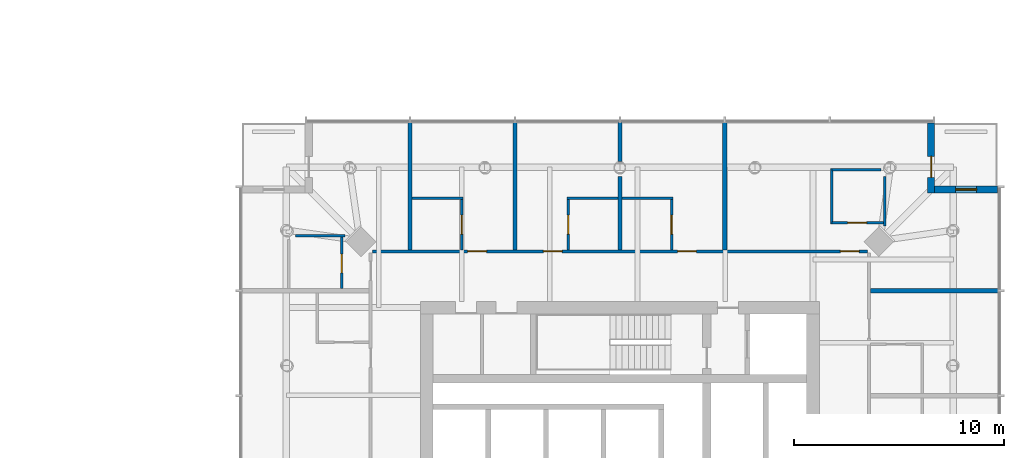
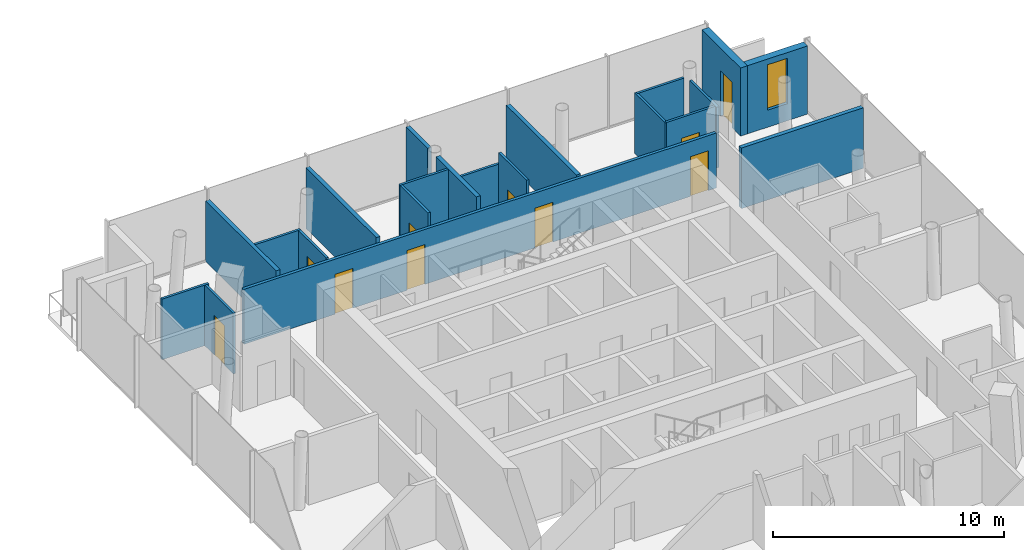
# One storey, part 15 of 18: 21 walls, 10 doors, 1 window, 11 openings.
"""IFC4 building model written with IfcOpenShell, lengths in metres."""

from ifc_helpers import new_model, si_unit, direction, frame, frame_2d, origin, place, context, subcontext, project, spatial, rectangle, extrude, material, layer, layer_set, type_object, element, fill, save


model = new_model("IFC4")

# Units and contexts
model_context = context("Model", 3, precision=1e-05, world=origin(), true_north=direction((0.0, 1.0)))
body_context = subcontext(model_context, "Body", "Model", "MODEL_VIEW")
ifc_project = project(units=[si_unit("LENGTHUNIT", "METRE"), si_unit("AREAUNIT", "SQUARE_METRE"), si_unit("VOLUMEUNIT", "CUBIC_METRE"), si_unit("PLANEANGLEUNIT", "RADIAN"), si_unit("MASSUNIT", "GRAM", prefix="KILO")], contexts=[model_context])

# Site, building, storey
site_placement = place(None, origin())
site = spatial("IfcSite", under=ifc_project, at=site_placement, CompositionType="ELEMENT")
building_placement = place(site_placement, origin())
building = spatial("IfcBuilding", under=site, at=building_placement, Name="Ostroluk Exchange", CompositionType="ELEMENT")
storey_placement = place(building_placement, frame((0.0, 0.0, 93.199951171875)))
storey = spatial("IfcBuildingStorey", under=building, at=storey_placement, Name="L23", CompositionType="ELEMENT", Elevation=93.199951171875)

# Wall, opening, door
ifc_material_1 = material(Name="Limestone", Category="masonry")
ifc_layer_1 = layer(ifc_material_1, 0.35009765625)
ifc_layer_set_1 = layer_set([ifc_layer_1], Name="Limestone facade wall 350")
wall_type_1 = type_object("IfcWallType", Name="Limestone facade wall 350", PredefinedType="SOLIDWALL", material=ifc_layer_set_1)
wall_1_placement = place(storey_placement, frame((131.824951171875, 64.0, 0.0), z_axis=(0.0, 0.0, 1.0), x_axis=(0.0, -1.0, 0.0)))
wall_1 = element("IfcWall", 1, at=wall_1_placement, inside=storey, type_object=wall_type_1, Name="Hotel tower NE corner wall L23 a", PredefinedType="SOLIDWALL", context=body_context, shape_type="SweptSolid", body=[
    extrude(rectangle(XDim=3.35009765625, YDim=0.35009765625, at=frame_2d((1.675048828125, 0.0))), origin(), (0.0, 0.0, 1.0), 3.60009765625),
])
opening_1_placement = place(wall_1_placement, frame((1.60009765625, 0.0, 0.0)))
opening_1 = element("IfcOpeningElement", 2, at=opening_1_placement, cuts=wall_1, Name="Opening D-B1", PredefinedType="OPENING", context=body_context, shape_type="SweptSolid", body=[
    extrude(rectangle(XDim=1.0, YDim=2.39990234375, at=frame_2d((0.5, 1.199951171875))), frame((0.0, 0.18505859375, 0.0), z_axis=(0.0, -1.0, 0.0), x_axis=(1.0, 0.0, 0.0)), (0.0, 0.0, 1.0), 0.3701171875),
])
ifc_material_2 = material(Name="Bronze framed glazed door", Category="aluminium")
door_type_1 = type_object("IfcDoorType", Name="Balcony door 1000 x 2400", OperationType="SINGLE_SWING_LEFT", PredefinedType="DOOR", material=ifc_material_2)
door_1_placement = place(opening_1_placement, origin())
door_1 = element("IfcDoor", 3, at=door_1_placement, inside=storey, type_object=door_type_1, Name="Hotel tower NE balcony door L23", OperationType="SINGLE_SWING_RIGHT", OverallHeight=2.39990234375, OverallWidth=1.0, PredefinedType="DOOR", context=body_context, shape_type="SweptSolid", body=[
    extrude(rectangle(XDim=1.0, YDim=2.39990234375, at=frame_2d((0.5, 1.199951171875))), frame((0.0, 0.02490234375, 0.0), z_axis=(0.0, -1.0, 0.0), x_axis=(1.0, 0.0, 0.0)), (0.0, 0.0, 1.0), 0.050048828125),
])
fill(opening_1, door_1)

# Wall, opening, window
wall_2_placement = place(storey_placement, frame((132.0, 60.824951171875, 0.0), z_axis=(0.0, 0.0, 1.0), x_axis=(1.0, 0.0, 0.0)))
wall_2 = element("IfcWall", 4, at=wall_2_placement, inside=storey, type_object=wall_type_1, Name="Hotel tower NE corner wall L23 b", PredefinedType="SOLIDWALL", context=body_context, shape_type="SweptSolid", body=[
    extrude(rectangle(XDim=3.0, YDim=0.35009765625, at=frame_2d((1.5, 0.0))), origin(), (0.0, 0.0, 1.0), 3.60009765625),
])
opening_2_placement = place(wall_2_placement, frame((1.0, 0.0, 0.89990234375)))
opening_2 = element("IfcOpeningElement", 5, at=opening_2_placement, cuts=wall_2, Name="Opening WN-L3", PredefinedType="OPENING", context=body_context, shape_type="SweptSolid", body=[
    extrude(rectangle(XDim=1.0, YDim=2.39990234375, at=frame_2d((0.5, 1.199951171875))), frame((0.0, 0.18505859375, 0.0), z_axis=(0.0, -1.0, 0.0), x_axis=(1.0, 0.0, 0.0)), (0.0, 0.0, 1.0), 0.3701171875),
])
ifc_material_3 = material(Name="Laminated clear glass", Category="glass")
window_type = type_object("IfcWindowType", Name="Hotel lancet window 1000 x 2400", PartitioningType="SINGLE_PANEL", PredefinedType="WINDOW", material=ifc_material_3)
window_placement = place(opening_2_placement, origin())
window = element("IfcWindow", 6, at=window_placement, inside=storey, type_object=window_type, Name="Hotel tower NE lancet window L23", OverallHeight=2.39990234375, OverallWidth=1.0, PartitioningType="SINGLE_PANEL", PredefinedType="WINDOW", context=body_context, shape_type="SweptSolid", body=[
    extrude(rectangle(XDim=1.0, YDim=2.39990234375, at=frame_2d((0.5, 1.199951171875))), frame((0.0, 0.030029296875, 0.0), z_axis=(0.0, -1.0, 0.0), x_axis=(1.0, 0.0, 0.0)), (0.0, 0.0, 1.0), 0.06005859375),
])
fill(opening_2, window)

# Wall, opening, door
ifc_material_4 = material(Name="Gypsum plasterboard partition, moisture resistant", Category="gypsum")
ifc_layer_2 = layer(ifc_material_4, 0.1201171875)
ifc_layer_set_2 = layer_set([ifc_layer_2], Name="Plasterboard en-suite wall 120")
wall_type_2 = type_object("IfcWallType", Name="Plasterboard en-suite wall 120", PredefinedType="PARTITIONING", material=ifc_layer_set_2)
wall_3_placement = place(storey_placement, frame((127.10009765625, 59.25, 0.0), z_axis=(0.0, 0.0, 1.0), x_axis=(1.0, 0.0, 0.0)))
wall_3 = element("IfcWall", 7, at=wall_3_placement, inside=storey, type_object=wall_type_2, Name="En-suite wall", PredefinedType="PARTITIONING", context=body_context, shape_type="SweptSolid", body=[
    extrude(rectangle(XDim=2.579833984375, YDim=0.1201171875, at=frame_2d((1.2900390625, 0.0))), origin(), (0.0, 0.0, 1.0), 3.199951171875),
])
opening_3_placement = place(wall_3_placement, frame((0.75, 0.0, 0.0)))
opening_3 = element("IfcOpeningElement", 8, at=opening_3_placement, cuts=wall_3, Name="Opening D-02", PredefinedType="OPENING", context=body_context, shape_type="SweptSolid", body=[
    extrude(rectangle(XDim=0.89990234375, YDim=2.10009765625, at=frame_2d((0.449951171875, 1.050048828125))), frame((0.0, 0.070068359375, 0.0), z_axis=(0.0, -1.0, 0.0), x_axis=(1.0, 0.0, 0.0)), (0.0, 0.0, 1.0), 0.14013671875),
])
ifc_material_5 = material(Name="Timber", Category="wood")
door_type_2 = type_object("IfcDoorType", Name="En-suite door 900 x 2100", OperationType="SINGLE_SWING_LEFT", PredefinedType="DOOR", material=ifc_material_5)
door_2_placement = place(opening_3_placement, origin())
door_2 = element("IfcDoor", 9, at=door_2_placement, inside=storey, type_object=door_type_2, Name="En-suite door 2305", OperationType="SINGLE_SWING_LEFT", OverallHeight=2.10009765625, OverallWidth=0.89990234375, PredefinedType="DOOR", context=body_context, shape_type="SweptSolid", body=[
    extrude(rectangle(XDim=0.89990234375, YDim=2.10009765625, at=frame_2d((0.449951171875, 1.050048828125))), frame((0.0, 0.02490234375, 0.0), z_axis=(0.0, -1.0, 0.0), x_axis=(1.0, 0.0, 0.0)), (0.0, 0.0, 1.0), 0.050048828125),
])
fill(opening_3, door_2)

# Walls
wall_4_placement = place(storey_placement, frame((127.10009765625, 61.77001953125, 0.0), z_axis=(0.0, 0.0, 1.0), x_axis=(1.0, 0.0, 0.0)))
element("IfcWall", 10, at=wall_4_placement, inside=storey, type_object=wall_type_2, Name="En-suite wall", PredefinedType="PARTITIONING", context=body_context, shape_type="SweptSolid", body=[
    extrude(rectangle(XDim=2.344482421875, YDim=0.1201171875, at=frame_2d((1.17236328125, 0.0))), origin(), (0.0, 0.0, 1.0), 3.199951171875),
])
wall_5_placement = place(storey_placement, frame((129.6201171875, 59.094970703125, 0.0), z_axis=(0.0, 0.0, 1.0), x_axis=(0.0, 1.0, 0.0)))
element("IfcWall", 11, at=wall_5_placement, inside=storey, type_object=wall_type_2, Name="En-suite wall", PredefinedType="PARTITIONING", context=body_context, shape_type="SweptSolid", body=[
    extrude(rectangle(XDim=2.349609375, YDim=0.1201171875, at=frame_2d((1.1748046875, 0.0))), origin(), (0.0, 0.0, 1.0), 3.199951171875),
])
wall_6_placement = place(storey_placement, frame((127.10009765625, 59.18994140625, 0.0), z_axis=(0.0, 0.0, 1.0), x_axis=(0.0, 1.0, 0.0)))
element("IfcWall", 12, at=wall_6_placement, inside=storey, type_object=wall_type_2, Name="En-suite wall", PredefinedType="PARTITIONING", context=body_context, shape_type="SweptSolid", body=[
    extrude(rectangle(XDim=2.64013671875, YDim=0.1201171875, at=frame_2d((1.320068359375, 0.0))), origin(), (0.0, 0.0, 1.0), 3.199951171875),
])
wall_7_placement = place(storey_placement, frame((119.52001953125, 60.409912109375, 0.0), z_axis=(0.0, 0.0, 1.0), x_axis=(-1.0, 0.0, 0.0)))
element("IfcWall", 13, at=wall_7_placement, inside=storey, type_object=wall_type_2, Name="En-suite wall", PredefinedType="PARTITIONING", context=body_context, shape_type="SweptSolid", body=[
    extrude(rectangle(XDim=2.419921875, YDim=0.1201171875, at=frame_2d((1.2099609375, 0.0))), origin(), (0.0, 0.0, 1.0), 3.0),
])

# Wall, opening, door
wall_8_placement = place(storey_placement, frame((119.4599609375, 57.949951171875, 0.0), z_axis=(0.0, 0.0, 1.0), x_axis=(0.0, 1.0, 0.0)))
wall_8 = element("IfcWall", 14, at=wall_8_placement, inside=storey, type_object=wall_type_2, Name="En-suite wall", PredefinedType="PARTITIONING", context=body_context, shape_type="SweptSolid", body=[
    extrude(rectangle(XDim=2.400146484375, YDim=0.1201171875, at=frame_2d((1.2001953125, 0.0))), origin(), (0.0, 0.0, 1.0), 3.60009765625),
])
opening_4_placement = place(wall_8_placement, frame((0.75, 0.0, 0.0)))
opening_4 = element("IfcOpeningElement", 15, at=opening_4_placement, cuts=wall_8, Name="Opening D-02", PredefinedType="OPENING", context=body_context, shape_type="SweptSolid", body=[
    extrude(rectangle(XDim=0.89990234375, YDim=2.10009765625, at=frame_2d((0.449951171875, 1.050048828125))), frame((0.0, 0.070068359375, 0.0), z_axis=(0.0, -1.0, 0.0), x_axis=(1.0, 0.0, 0.0)), (0.0, 0.0, 1.0), 0.14013671875),
])
door_3_placement = place(opening_4_placement, origin())
door_3 = element("IfcDoor", 16, at=door_3_placement, inside=storey, type_object=door_type_2, Name="En-suite door 2306", OperationType="SINGLE_SWING_RIGHT", OverallHeight=2.10009765625, OverallWidth=0.89990234375, PredefinedType="DOOR", context=body_context, shape_type="SweptSolid", body=[
    extrude(rectangle(XDim=0.89990234375, YDim=2.10009765625, at=frame_2d((0.449951171875, 1.050048828125))), frame((0.0, 0.02490234375, 0.0), z_axis=(0.0, -1.0, 0.0), x_axis=(1.0, 0.0, 0.0)), (0.0, 0.0, 1.0), 0.050048828125),
])
fill(opening_4, door_3)

# Wall
wall_9_placement = place(storey_placement, frame((116.89990234375, 60.409912109375, 0.0), z_axis=(0.0, 0.0, 1.0), x_axis=(-1.0, 0.0, 0.0)))
element("IfcWall", 17, at=wall_9_placement, inside=storey, type_object=wall_type_2, Name="En-suite wall", PredefinedType="PARTITIONING", context=body_context, shape_type="SweptSolid", body=[
    extrude(rectangle(XDim=2.419921875, YDim=0.1201171875, at=frame_2d((1.2099609375, 0.0))), origin(), (0.0, 0.0, 1.0), 3.60009765625),
])

# Wall, opening, door
wall_10_placement = place(storey_placement, frame((114.5400390625, 57.949951171875, 0.0), z_axis=(0.0, 0.0, 1.0), x_axis=(0.0, 1.0, 0.0)))
wall_10 = element("IfcWall", 18, at=wall_10_placement, inside=storey, type_object=wall_type_2, Name="En-suite wall", PredefinedType="PARTITIONING", context=body_context, shape_type="SweptSolid", body=[
    extrude(rectangle(XDim=2.400146484375, YDim=0.1201171875, at=frame_2d((1.2001953125, 0.0))), origin(), (0.0, 0.0, 1.0), 3.60009765625),
])
opening_5_placement = place(wall_10_placement, frame((0.75, 0.0, 0.0)))
opening_5 = element("IfcOpeningElement", 19, at=opening_5_placement, cuts=wall_10, Name="Opening D-02", PredefinedType="OPENING", context=body_context, shape_type="SweptSolid", body=[
    extrude(rectangle(XDim=0.89990234375, YDim=2.10009765625, at=frame_2d((0.449951171875, 1.050048828125))), frame((0.0, 0.070068359375, 0.0), z_axis=(0.0, -1.0, 0.0), x_axis=(1.0, 0.0, 0.0)), (0.0, 0.0, 1.0), 0.14013671875),
])
door_4_placement = place(opening_5_placement, origin())
door_4 = element("IfcDoor", 20, at=door_4_placement, inside=storey, type_object=door_type_2, Name="En-suite door 2307", OperationType="SINGLE_SWING_RIGHT", OverallHeight=2.10009765625, OverallWidth=0.89990234375, PredefinedType="DOOR", context=body_context, shape_type="SweptSolid", body=[
    extrude(rectangle(XDim=0.89990234375, YDim=2.10009765625, at=frame_2d((0.449951171875, 1.050048828125))), frame((0.0, 0.02490234375, 0.0), z_axis=(0.0, -1.0, 0.0), x_axis=(1.0, 0.0, 0.0)), (0.0, 0.0, 1.0), 0.050048828125),
])
fill(opening_5, door_4)

# Wall
wall_11_placement = place(storey_placement, frame((109.52001953125, 60.409912109375, 0.0), z_axis=(0.0, 0.0, 1.0), x_axis=(-1.0, 0.0, 0.0)))
element("IfcWall", 21, at=wall_11_placement, inside=storey, type_object=wall_type_2, Name="En-suite wall", PredefinedType="PARTITIONING", context=body_context, shape_type="SweptSolid", body=[
    extrude(rectangle(XDim=2.419921875, YDim=0.1201171875, at=frame_2d((1.2099609375, 0.0))), origin(), (0.0, 0.0, 1.0), 3.0),
])

# Wall, opening, door
wall_12_placement = place(storey_placement, frame((109.4599609375, 57.949951171875, 0.0), z_axis=(0.0, 0.0, 1.0), x_axis=(0.0, 1.0, 0.0)))
wall_12 = element("IfcWall", 22, at=wall_12_placement, inside=storey, type_object=wall_type_2, Name="En-suite wall", PredefinedType="PARTITIONING", context=body_context, shape_type="SweptSolid", body=[
    extrude(rectangle(XDim=2.400146484375, YDim=0.1201171875, at=frame_2d((1.2001953125, 0.0))), origin(), (0.0, 0.0, 1.0), 3.0),
])
opening_6_placement = place(wall_12_placement, frame((0.75, 0.0, 0.0)))
opening_6 = element("IfcOpeningElement", 23, at=opening_6_placement, cuts=wall_12, Name="Opening D-02", PredefinedType="OPENING", context=body_context, shape_type="SweptSolid", body=[
    extrude(rectangle(XDim=0.89990234375, YDim=2.10009765625, at=frame_2d((0.449951171875, 1.050048828125))), frame((0.0, 0.070068359375, 0.0), z_axis=(0.0, -1.0, 0.0), x_axis=(1.0, 0.0, 0.0)), (0.0, 0.0, 1.0), 0.14013671875),
])
door_5_placement = place(opening_6_placement, origin())
door_5 = element("IfcDoor", 24, at=door_5_placement, inside=storey, type_object=door_type_2, Name="En-suite door 2308", OperationType="SINGLE_SWING_RIGHT", OverallHeight=2.10009765625, OverallWidth=0.89990234375, PredefinedType="DOOR", context=body_context, shape_type="SweptSolid", body=[
    extrude(rectangle(XDim=0.89990234375, YDim=2.10009765625, at=frame_2d((0.449951171875, 1.050048828125))), frame((0.0, 0.02490234375, 0.0), z_axis=(0.0, -1.0, 0.0), x_axis=(1.0, 0.0, 0.0)), (0.0, 0.0, 1.0), 0.050048828125),
])
fill(opening_6, door_5)

wall_13_placement = place(storey_placement, frame((103.75, 56.10009765625, 0.0), z_axis=(0.0, 0.0, 1.0), x_axis=(0.0, 1.0, 0.0)))
wall_13 = element("IfcWall", 25, at=wall_13_placement, inside=storey, type_object=wall_type_2, Name="En-suite wall", PredefinedType="PARTITIONING", context=body_context, shape_type="SweptSolid", body=[
    extrude(rectangle(XDim=2.579833984375, YDim=0.1201171875, at=frame_2d((1.2900390625, 0.0))), origin(), (0.0, 0.0, 1.0), 3.199951171875),
])
opening_7_placement = place(wall_13_placement, frame((0.75, 0.0, 0.0)))
opening_7 = element("IfcOpeningElement", 26, at=opening_7_placement, cuts=wall_13, Name="Opening D-02", PredefinedType="OPENING", context=body_context, shape_type="SweptSolid", body=[
    extrude(rectangle(XDim=0.89990234375, YDim=2.10009765625, at=frame_2d((0.449951171875, 1.050048828125))), frame((0.0, 0.070068359375, 0.0), z_axis=(0.0, -1.0, 0.0), x_axis=(1.0, 0.0, 0.0)), (0.0, 0.0, 1.0), 0.14013671875),
])
door_6_placement = place(opening_7_placement, origin())
door_6 = element("IfcDoor", 27, at=door_6_placement, inside=storey, type_object=door_type_2, Name="En-suite door 2309", OperationType="SINGLE_SWING_LEFT", OverallHeight=2.10009765625, OverallWidth=0.89990234375, PredefinedType="DOOR", context=body_context, shape_type="SweptSolid", body=[
    extrude(rectangle(XDim=0.89990234375, YDim=2.10009765625, at=frame_2d((0.449951171875, 1.050048828125))), frame((0.0, 0.02490234375, 0.0), z_axis=(0.0, -1.0, 0.0), x_axis=(1.0, 0.0, 0.0)), (0.0, 0.0, 1.0), 0.050048828125),
])
fill(opening_7, door_6)

# Wall
wall_14_placement = place(storey_placement, frame((103.905029296875, 58.6201171875, 0.0), z_axis=(0.0, 0.0, 1.0), x_axis=(-1.0, 0.0, 0.0)))
element("IfcWall", 28, at=wall_14_placement, inside=storey, type_object=wall_type_2, Name="En-suite wall", PredefinedType="PARTITIONING", context=body_context, shape_type="SweptSolid", body=[
    extrude(rectangle(XDim=2.349609375, YDim=0.1201171875, at=frame_2d((1.1748046875, 0.0))), origin(), (0.0, 0.0, 1.0), 3.199951171875),
])

# Wall, openings, doors
ifc_material_6 = material(Name="Gypsum plasterboard partition", Category="gypsum")
ifc_layer_3 = layer(ifc_material_6, 0.14990234375)
ifc_layer_set_3 = layer_set([ifc_layer_3], Name="Plasterboard partition 150")
wall_type_3 = type_object("IfcWallType", Name="Plasterboard partition 150", PredefinedType="PARTITIONING", material=ifc_layer_set_3)
wall_15_placement = place(storey_placement, frame((128.791259765625, 57.875, 0.0), z_axis=(0.0, 0.0, 1.0), x_axis=(-1.0, 0.0, 0.0)))
wall_15 = element("IfcWall", 29, at=wall_15_placement, inside=storey, type_object=wall_type_3, Name="Corridor wall", PredefinedType="PARTITIONING", context=body_context, shape_type="SweptSolid", body=[
    extrude(rectangle(XDim=23.58251953125, YDim=0.14990234375, at=frame_2d((11.791259765625, 0.0))), origin(), (0.0, 0.0, 1.0), 2.900146484375),
])
opening_8_placement = place(wall_15_placement, frame((0.39111328125, 0.0, 0.0)))
opening_8 = element("IfcOpeningElement", 30, at=opening_8_placement, cuts=wall_15, Name="Opening D-01", PredefinedType="OPENING", context=body_context, shape_type="SweptSolid", body=[
    extrude(rectangle(XDim=0.89990234375, YDim=2.10009765625, at=frame_2d((0.449951171875, 1.050048828125))), frame((0.0, 0.0849609375, 0.0), z_axis=(0.0, -1.0, 0.0), x_axis=(1.0, 0.0, 0.0)), (0.0, 0.0, 1.0), 0.169921875),
])
opening_9_placement = place(wall_15_placement, frame((8.14111328125, 0.0, 0.0)))
opening_9 = element("IfcOpeningElement", 31, at=opening_9_placement, cuts=wall_15, Name="Opening D-01", PredefinedType="OPENING", context=body_context, shape_type="SweptSolid", body=[
    extrude(rectangle(XDim=0.89990234375, YDim=2.10009765625, at=frame_2d((0.449951171875, 1.050048828125))), frame((0.0, 0.0849609375, 0.0), z_axis=(0.0, -1.0, 0.0), x_axis=(1.0, 0.0, 0.0)), (0.0, 0.0, 1.0), 0.169921875),
])
opening_10_placement = place(wall_15_placement, frame((14.541259765625, 0.0, 0.0)))
opening_10 = element("IfcOpeningElement", 32, at=opening_10_placement, cuts=wall_15, Name="Opening D-01", PredefinedType="OPENING", context=body_context, shape_type="SweptSolid", body=[
    extrude(rectangle(XDim=0.89990234375, YDim=2.10009765625, at=frame_2d((0.449951171875, 1.050048828125))), frame((0.0, 0.0849609375, 0.0), z_axis=(0.0, -1.0, 0.0), x_axis=(1.0, 0.0, 0.0)), (0.0, 0.0, 1.0), 0.169921875),
])
opening_11_placement = place(wall_15_placement, frame((18.14111328125, 0.0, 0.0)))
opening_11 = element("IfcOpeningElement", 33, at=opening_11_placement, cuts=wall_15, Name="Opening D-01", PredefinedType="OPENING", context=body_context, shape_type="SweptSolid", body=[
    extrude(rectangle(XDim=0.89990234375, YDim=2.10009765625, at=frame_2d((0.449951171875, 1.050048828125))), frame((0.0, 0.0849609375, 0.0), z_axis=(0.0, -1.0, 0.0), x_axis=(1.0, 0.0, 0.0)), (0.0, 0.0, 1.0), 0.169921875),
])
ifc_material_7 = material(Name="Timber", Category="wood")
door_type_3 = type_object("IfcDoorType", Name="Hotel room door EI 30 Sa 900 x 2100", OperationType="SINGLE_SWING_LEFT", PredefinedType="DOOR", material=ifc_material_7)
door_7_placement = place(opening_8_placement, origin())
door_7 = element("IfcDoor", 34, at=door_7_placement, inside=storey, type_object=door_type_3, Name="Room door 2305", OperationType="SINGLE_SWING_LEFT", OverallHeight=2.10009765625, OverallWidth=0.89990234375, PredefinedType="DOOR", context=body_context, shape_type="SweptSolid", body=[
    extrude(rectangle(XDim=0.89990234375, YDim=2.10009765625, at=frame_2d((0.449951171875, 1.050048828125))), frame((0.0, 0.02490234375, 0.0), z_axis=(0.0, -1.0, 0.0), x_axis=(1.0, 0.0, 0.0)), (0.0, 0.0, 1.0), 0.050048828125),
])
fill(opening_8, door_7)
door_8_placement = place(opening_9_placement, origin())
door_8 = element("IfcDoor", 35, at=door_8_placement, inside=storey, type_object=door_type_3, Name="Room door 2306", OperationType="SINGLE_SWING_LEFT", OverallHeight=2.10009765625, OverallWidth=0.89990234375, PredefinedType="DOOR", context=body_context, shape_type="SweptSolid", body=[
    extrude(rectangle(XDim=0.89990234375, YDim=2.10009765625, at=frame_2d((0.449951171875, 1.050048828125))), frame((0.0, 0.02490234375, 0.0), z_axis=(0.0, -1.0, 0.0), x_axis=(1.0, 0.0, 0.0)), (0.0, 0.0, 1.0), 0.050048828125),
])
fill(opening_9, door_8)
door_9_placement = place(opening_10_placement, origin())
door_9 = element("IfcDoor", 36, at=door_9_placement, inside=storey, type_object=door_type_3, Name="Room door 2307", OperationType="SINGLE_SWING_RIGHT", OverallHeight=2.10009765625, OverallWidth=0.89990234375, PredefinedType="DOOR", context=body_context, shape_type="SweptSolid", body=[
    extrude(rectangle(XDim=0.89990234375, YDim=2.10009765625, at=frame_2d((0.449951171875, 1.050048828125))), frame((0.0, 0.02490234375, 0.0), z_axis=(0.0, -1.0, 0.0), x_axis=(1.0, 0.0, 0.0)), (0.0, 0.0, 1.0), 0.050048828125),
])
fill(opening_10, door_9)
door_10_placement = place(opening_11_placement, origin())
door_10 = element("IfcDoor", 37, at=door_10_placement, inside=storey, type_object=door_type_3, Name="Room door 2308", OperationType="SINGLE_SWING_RIGHT", OverallHeight=2.10009765625, OverallWidth=0.89990234375, PredefinedType="DOOR", context=body_context, shape_type="SweptSolid", body=[
    extrude(rectangle(XDim=0.89990234375, YDim=2.10009765625, at=frame_2d((0.449951171875, 1.050048828125))), frame((0.0, 0.02490234375, 0.0), z_axis=(0.0, -1.0, 0.0), x_axis=(1.0, 0.0, 0.0)), (0.0, 0.0, 1.0), 0.050048828125),
])
fill(opening_11, door_10)

# Walls
ifc_material_8 = material(Name="Gypsum plasterboard partition", Category="gypsum")
ifc_layer_4 = layer(ifc_material_8, 0.199951171875)
ifc_layer_set_4 = layer_set([ifc_layer_4], Name="Plasterboard party wall 200")
wall_type_4 = type_object("IfcWallType", Name="Plasterboard party wall 200", PredefinedType="PARTITIONING", material=ifc_layer_set_4)
wall_16_placement = place(storey_placement, frame((128.949951171875, 56.0, 0.0), z_axis=(0.0, 0.0, 1.0), x_axis=(1.0, 0.0, 0.0)))
element("IfcWall", 38, at=wall_16_placement, inside=storey, type_object=wall_type_4, Name="Party wall", PredefinedType="PARTITIONING", context=body_context, shape_type="SweptSolid", body=[
    extrude(rectangle(XDim=6.090087890625, YDim=0.199951171875, at=frame_2d((3.044921875, 0.0))), origin(), (0.0, 0.0, 1.0), 3.199951171875),
])
wall_17_placement = place(storey_placement, frame((122.0, 57.949951171875, 0.0), z_axis=(0.0, 0.0, 1.0), x_axis=(0.0, 1.0, 0.0)))
element("IfcWall", 39, at=wall_17_placement, inside=storey, type_object=wall_type_4, Name="Party wall", PredefinedType="PARTITIONING", context=body_context, shape_type="SweptSolid", body=[
    extrude(rectangle(XDim=6.090087890625, YDim=0.199951171875, at=frame_2d((3.044921875, 0.0))), origin(), (0.0, 0.0, 1.0), 3.0),
])
wall_18_placement = place(storey_placement, frame((117.0, 57.949951171875, 0.0), z_axis=(0.0, 0.0, 1.0), x_axis=(0.0, 1.0, 0.0)))
element("IfcWall", 40, at=wall_18_placement, inside=storey, type_object=wall_type_4, Name="Party wall", PredefinedType="PARTITIONING", context=body_context, shape_type="SweptSolid", body=[
    extrude(rectangle(XDim=3.49462890625, YDim=0.199951171875, at=frame_2d((1.747314453125, 0.0))), origin(), (0.0, 0.0, 1.0), 3.60009765625),
])
wall_19_placement = place(storey_placement, frame((117.0, 62.16748046875, 0.0), z_axis=(0.0, 0.0, 1.0), x_axis=(0.0, 1.0, 0.0)))
element("IfcWall", 41, at=wall_19_placement, inside=storey, type_object=wall_type_4, Name="Party wall", PredefinedType="PARTITIONING", context=body_context, shape_type="SweptSolid", body=[
    extrude(rectangle(XDim=1.87255859375, YDim=0.199951171875, at=frame_2d((0.936279296875, 0.0))), origin(), (0.0, 0.0, 1.0), 3.60009765625),
])
for number, where, z_axis, x_axis, name in (
    (42, (112.0, 57.949951171875, 0.0), (0.0, 0.0, 1.0), (0.0, 1.0, 0.0), "Party wall"),
    (43, (107.0, 57.949951171875, 0.0), (0.0, 0.0, 1.0), (0.0, 1.0, 0.0), "Party wall"),
):
    element("IfcWall", number, at=place(storey_placement, frame(where, z_axis=z_axis, x_axis=x_axis)), inside=storey, type_object=wall_type_4, Name=name, PredefinedType="PARTITIONING", context=body_context, shape_type="SweptSolid", body=[
        extrude(rectangle(XDim=6.090087890625, YDim=0.199951171875, at=frame_2d((3.044921875, 0.0))), origin(), (0.0, 0.0, 1.0), 3.199951171875),
    ])

save(model, "model.ifc")
